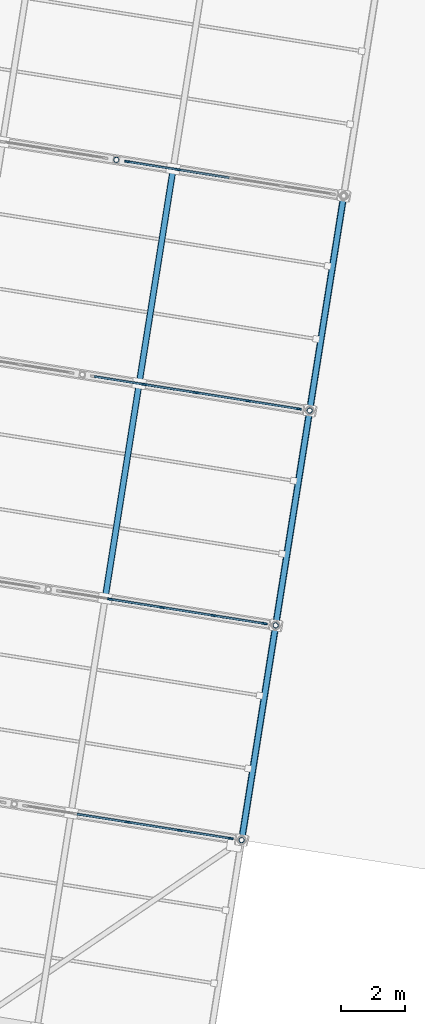
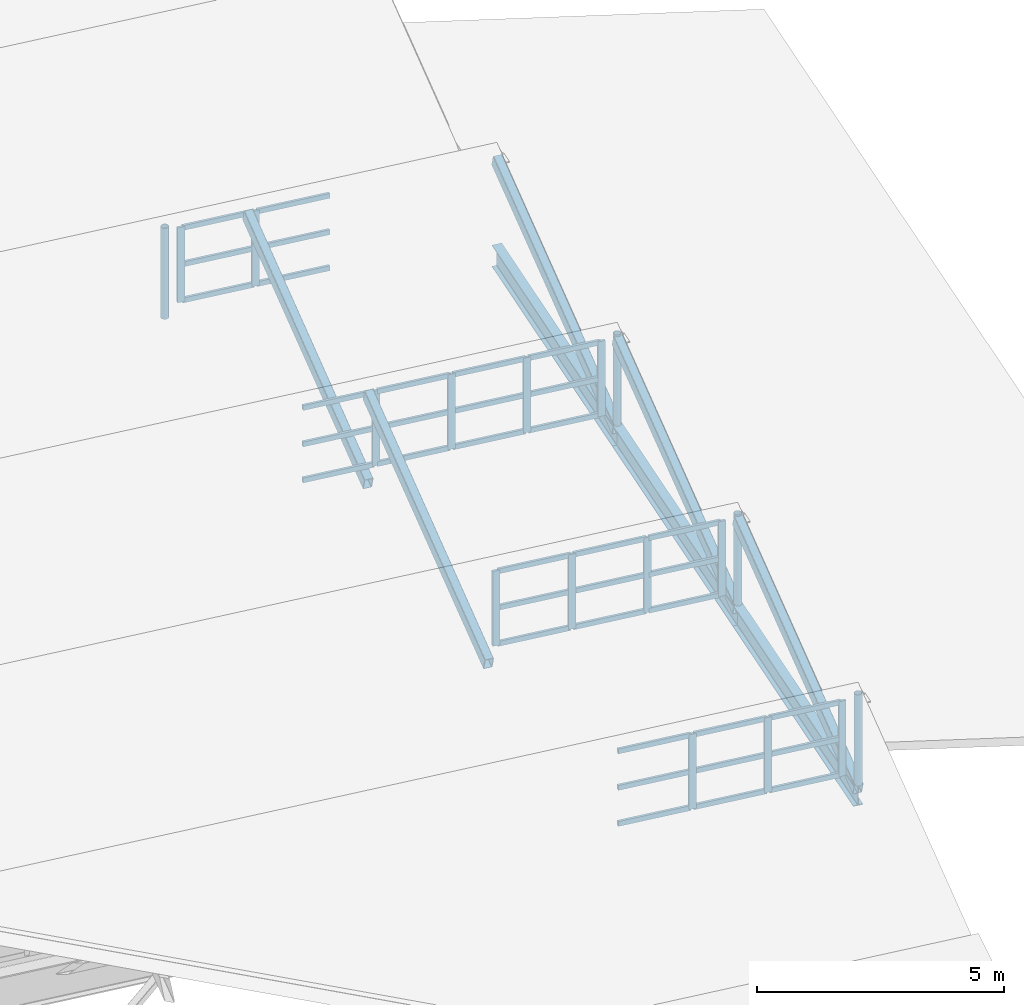
# One storey, part 50 of 65: 58 members, 3 beams, 4 elements without a shape of their own.
"""IFC4 building model written with IfcOpenShell, lengths in metres."""

import ifcopenshell
import ifcopenshell.guid

model = None  # the IFC model being written
_history = None  # IfcOwnerHistory: only IFC2X3 demands one
_inside = {}  # id of a spatial element -> (the spatial element, [elements in it])
_under = {}  # id of a project, library or spatial element -> (it, [spatial elements below it])
_declared = {}  # id of a project -> (the project, [libraries it declares])
_typed = {}  # id of a type object -> (the type object, [elements of that type])
_made_of = {}  # id of a material, layer set ... -> (it, [elements and type objects made of it])


def new_model(schema):
    """Start an empty IFC model of exactly this schema.

    Asked for "IFC4X3", IfcOpenShell would pick the latest addendum, in which some entities
    have other attributes; the version numbers below select the first issue.
    IFC2X3 requires an IfcOwnerHistory on every rooted entity: one is made here for all.
    """
    global model, _history
    if schema == "IFC4X3":
        model = ifcopenshell.file(schema_version=(4, 3, 0, 0))
    else:
        model = ifcopenshell.file(schema=schema)
    _inside.clear()
    _under.clear()
    _declared.clear()
    _typed.clear()
    _made_of.clear()
    _history = None
    if model.schema == "IFC2X3":
        org = make("IfcOrganization", Name="unknown")
        user = make(
            "IfcPersonAndOrganization",
            ThePerson=make("IfcPerson", FamilyName="unknown"),
            TheOrganization=org,
        )
        app = make(
            "IfcApplication",
            ApplicationDeveloper=org,
            Version="unknown",
            ApplicationFullName="unknown",
            ApplicationIdentifier="unknown",
        )
        _history = make(
            "IfcOwnerHistory",
            OwningUser=user,
            OwningApplication=app,
            ChangeAction="ADDED",
            CreationDate=0,
        )
    return model


def make(cls, **values):
    """One entity of the class cls with the attributes given. An attribute that is None is left unset."""
    return model.create_entity(
        cls, **{name: value for name, value in values.items() if value is not None}
    )


def rooted(cls, **values):
    """An entity with a GlobalId (a new one), such as an element, a storey or a relation."""
    return make(cls, GlobalId=ifcopenshell.guid.new(), OwnerHistory=_history, **values)


def si_unit(unit_type, name, prefix=None):
    """IfcSIUnit, for example si_unit("LENGTHUNIT", "METRE", prefix="MILLI")."""
    return make("IfcSIUnit", UnitType=unit_type, Prefix=prefix, Name=name)


def assignment(units):
    """IfcUnitAssignment: the units of a project."""
    return None if units is None else make("IfcUnitAssignment", Units=units)


def point(xyz):
    """IfcCartesianPoint."""
    return None if xyz is None else make("IfcCartesianPoint", Coordinates=xyz)


def direction(xyz):
    """IfcDirection."""
    return None if xyz is None else make("IfcDirection", DirectionRatios=xyz)


def frame(location, z_axis=None, x_axis=None):
    """IfcAxis2Placement3D, a coordinate frame: its origin and axes. An axis left out is left unset."""
    return make(
        "IfcAxis2Placement3D",
        Location=point(location),
        Axis=direction(z_axis),
        RefDirection=direction(x_axis),
    )


def frame_2d(location, x_axis=None):
    """IfcAxis2Placement2D, a coordinate frame in the plane: its origin and x axis."""
    return make(
        "IfcAxis2Placement2D", Location=point(location), RefDirection=direction(x_axis)
    )


def origin():
    """The frame at (0, 0, 0) with its axes left unset."""
    return frame((0.0, 0.0, 0.0))


def origin_2d():
    """The frame at (0, 0) in the plane with its x axis left unset."""
    return frame_2d((0.0, 0.0))


def place(relative_to, where):
    """IfcLocalPlacement: puts the frame where relative to a parent placement (None: the world)."""
    return make(
        "IfcLocalPlacement", PlacementRelTo=relative_to, RelativePlacement=where
    )


def context(
    kind, dimensions, precision=None, world=None, true_north=None, identifier=None
):
    """IfcGeometricRepresentationContext, for example the 3D "Model" context."""
    return make(
        "IfcGeometricRepresentationContext",
        ContextIdentifier=identifier,
        ContextType=kind,
        CoordinateSpaceDimension=dimensions,
        Precision=precision,
        WorldCoordinateSystem=world,
        TrueNorth=true_north,
    )


def subcontext(parent, identifier, kind, view, scale=None):
    """IfcGeometricRepresentationSubContext, for example "Body" below "Model"."""
    return make(
        "IfcGeometricRepresentationSubContext",
        ContextIdentifier=identifier,
        ContextType=kind,
        ParentContext=parent,
        TargetScale=scale,
        TargetView=view,
    )


def project(units=None, contexts=None):
    """IfcProject with its units and contexts."""
    return rooted(
        "IfcProject",
        Name="project",
        RepresentationContexts=contexts,
        UnitsInContext=assignment(units),
    )


def spatial(cls, under=None, at=None, **own):
    """A site, building, storey or space (cls), placed at a placement, below another one or the project."""
    s = rooted(cls, ObjectPlacement=at, **own)
    if under is not None:
        _under.setdefault(under.id(), (under, []))[1].append(s)
    return s


def profile(cls, at=None, kind="AREA", **sizes):
    """A parametric profile (cls). Its sizes go by their IFC names, for example OverallWidth=200.0."""
    return make(cls, ProfileType=kind, Position=at, **sizes)


def rectangle(**sizes):
    """IfcRectangleProfileDef."""
    return profile("IfcRectangleProfileDef", **sizes)


def hollow_rectangle(**sizes):
    """IfcRectangleHollowProfileDef."""
    return profile("IfcRectangleHollowProfileDef", **sizes)


def hollow_circle(**sizes):
    """IfcCircleHollowProfileDef."""
    return profile("IfcCircleHollowProfileDef", **sizes)


def i_section(**sizes):
    """IfcIShapeProfileDef."""
    return profile("IfcIShapeProfileDef", **sizes)


def extrude(swept, where, along, depth):
    """IfcExtrudedAreaSolid: the profile swept, set in the frame where, extruded along a direction by depth."""
    return make(
        "IfcExtrudedAreaSolid",
        SweptArea=swept,
        Position=where,
        ExtrudedDirection=direction(along),
        Depth=depth,
    )


def shape(context_of_items, identifier, shape_type, items):
    """IfcShapeRepresentation: the items that make up one representation, for example the "Body"."""
    return make(
        "IfcShapeRepresentation",
        ContextOfItems=context_of_items,
        RepresentationIdentifier=identifier,
        RepresentationType=shape_type,
        Items=items,
    )


def material(Name=None, Category=None):
    """IfcMaterial."""
    return make("IfcMaterial", Name=Name, Category=Category)


def material_profile(
    of_material, cross_section, Name=None, Category=None, Priority=None
):
    """IfcMaterialProfile: a cross section and its material."""
    return make(
        "IfcMaterialProfile",
        Name=Name,
        Material=of_material,
        Profile=cross_section,
        Priority=Priority,
        Category=Category,
    )


def profile_set(profiles, Name=None, composite=None):
    """IfcMaterialProfileSet."""
    return make(
        "IfcMaterialProfileSet",
        Name=Name,
        MaterialProfiles=profiles,
        CompositeProfile=composite,
    )


def made_of(thing, what):
    """Note that an element or type object is made of a material, layer set ...; save() writes the relation."""
    if what is not None:
        _made_of.setdefault(what.id(), (what, []))[1].append(thing)
    return thing


def type_object(cls, material=None, **own):
    """A type object (cls), such as IfcWallType, which elements share."""
    return made_of(rooted(cls, **own), material)


def element(
    cls,
    number,
    at=None,
    inside=None,
    cuts=None,
    type_object=None,
    material=None,
    context=None,
    identifier="Body",
    shape_type=None,
    held_by="IfcProductDefinitionShape",
    body=None,
    shapes=None,
    **own,
):
    """One element of the class cls, such as IfcWall. Its Tag is "e" and its number.

    at: its placement. inside: the storey or other place that contains it. cuts: it is an
    opening in that element (IfcRelVoidsElement). A single representation is given by context,
    identifier, shape_type and body (its items); several are given by shapes. held_by: the class
    of the entity that holds the representations. save() writes the other relations.
    """
    e = rooted(cls, Tag="e%d" % number, ObjectPlacement=at, **own)
    if body is not None:
        shapes = [shape(context, identifier, shape_type, body)]
    if shapes is not None:
        e.Representation = make(held_by, Representations=shapes)
    if inside is not None:
        _inside.setdefault(inside.id(), (inside, []))[1].append(e)
    if cuts is not None:
        rooted(
            "IfcRelVoidsElement", RelatingBuildingElement=cuts, RelatedOpeningElement=e
        )
    if type_object is not None:
        _typed.setdefault(type_object.id(), (type_object, []))[1].append(e)
    return made_of(e, material)


def aggregate(whole, parts):
    """IfcRelAggregates: a whole, such as a stair, and the parts it consists of."""
    return rooted("IfcRelAggregates", RelatingObject=whole, RelatedObjects=parts)


def save(model, path):
    """Write the relations noted so far, then the file.

    IfcRelAggregates (storeys below a building ...), IfcRelContainedInSpatialStructure (elements
    in a storey), IfcRelDefinesByType, IfcRelAssociatesMaterial and IfcRelDeclares: one each for
    every whole, place, type object, material and project.
    """
    for whole, parts in _under.values():
        aggregate(whole, parts)
    for where, things in _inside.values():
        rooted(
            "IfcRelContainedInSpatialStructure",
            RelatedElements=things,
            RelatingStructure=where,
        )
    for kind, things in _typed.values():
        rooted("IfcRelDefinesByType", RelatedObjects=things, RelatingType=kind)
    for what, things in _made_of.values():
        rooted("IfcRelAssociatesMaterial", RelatedObjects=things, RelatingMaterial=what)
    for by, libraries in _declared.values():
        rooted("IfcRelDeclares", RelatingContext=by, RelatedDefinitions=libraries)
    model.write(path)


model = new_model("IFC4")

# Units and contexts
model_context = context("Model", 3, precision=1e-05, world=origin(), true_north=direction((0.0, 1.0)))
body_context = subcontext(model_context, "Body", "Model", "MODEL_VIEW")
ifc_project = project(units=[si_unit("LENGTHUNIT", "METRE"), si_unit("AREAUNIT", "SQUARE_METRE"), si_unit("VOLUMEUNIT", "CUBIC_METRE"), si_unit("PLANEANGLEUNIT", "RADIAN"), si_unit("MASSUNIT", "GRAM", prefix="KILO")], contexts=[model_context])

# Site, building, storey
site_placement = place(None, origin())
site = spatial("IfcSite", under=ifc_project, at=site_placement, CompositionType="ELEMENT")
building_placement = place(site_placement, origin())
building = spatial("IfcBuilding", under=site, at=building_placement, Name="Cinderway Yard Community Centre", CompositionType="ELEMENT")
storey_placement = place(building_placement, frame((0.0, 0.0, 24.300048828125)))
storey = spatial("IfcBuildingStorey", under=building, at=storey_placement, Name="RF", CompositionType="ELEMENT", Elevation=24.300048828125)

# Curtain wall, members
ifc_material_1 = material(Name="Aluminium 6063-T6", Category="aluminium")
curtain_wall_type = type_object("IfcCurtainWallType", Name="ENV-CW-TYPE-23", PredefinedType="USERDEFINED", material=ifc_material_1)
curtain_wall_1_placement = place(storey_placement, origin())
curtain_wall_1 = element("IfcCurtainWall", 1, at=curtain_wall_1_placement, inside=storey, type_object=curtain_wall_type, Name="Sawtooth North-Light Clerestory ENV-CW-RF-ST-0074", ObjectType="GLAZED CURTAIN WALL", PredefinedType="USERDEFINED")
ifc_material_profile_1 = material_profile(ifc_material_1, rectangle(XDim=0.06005859375, YDim=0.159912109375, at=origin_2d()), Name="Aluminium 6063-T6")
ifc_profile_set_1 = profile_set([ifc_material_profile_1], Name="Aluminium 6063-T6")
member_type_1 = type_object("IfcMemberType", Name="ENV-CW-MULL-150", PredefinedType="MULLION", material=ifc_profile_set_1)
member_1_placement = place(storey_placement, frame((136.842041015625, 41.900390625, -10.199951171875), z_axis=(0.0, 0.0, 1.0), x_axis=(0.156533911189, 0.98767258474, 0.0)))
member_1 = element("IfcMember", 2, at=member_1_placement, type_object=member_type_1, Name="CW-23 mullion 3", PredefinedType="MULLION", context=body_context, shape_type="SweptSolid", body=[
    extrude(rectangle(XDim=0.06005859375, YDim=0.159912109375, at=origin_2d()), origin(), (0.0, 0.0, 1.0), 1.849853515625),
])
member_2_placement = place(storey_placement, frame((138.4619140625, 41.643798828125, -10.199951171875), z_axis=(0.0, 0.0, 1.0), x_axis=(0.156533911189, 0.98767258474, 0.0)))
member_2 = element("IfcMember", 3, at=member_2_placement, type_object=member_type_1, Name="CW-23 mullion 4", PredefinedType="MULLION", context=body_context, shape_type="SweptSolid", body=[
    extrude(rectangle(XDim=0.06005859375, YDim=0.159912109375, at=origin_2d()), origin(), (0.0, 0.0, 1.0), 1.849853515625),
])
member_3_placement = place(storey_placement, frame((140.052490234375, 41.3916015625, -10.199951171875), z_axis=(0.0, 0.0, 1.0), x_axis=(0.156533911189, 0.98767258474, 0.0)))
member_3 = element("IfcMember", 4, at=member_3_placement, type_object=member_type_1, Name="CW-23 mullion 5", PredefinedType="MULLION", context=body_context, shape_type="SweptSolid", body=[
    extrude(rectangle(XDim=0.06005859375, YDim=0.159912109375, at=origin_2d()), origin(), (0.0, 0.0, 1.0), 1.849853515625),
])

curtain_wall_2_placement = place(storey_placement, origin())
curtain_wall_2 = element("IfcCurtainWall", 5, at=curtain_wall_2_placement, inside=storey, type_object=curtain_wall_type, Name="Sawtooth North-Light Clerestory ENV-CW-RF-ST-0077", ObjectType="GLAZED CURTAIN WALL", PredefinedType="USERDEFINED")
member_4_placement = place(storey_placement, frame((136.285888671875, 48.87353515625, -10.199951171875), z_axis=(0.0, 0.0, 1.0), x_axis=(0.156385221956, 0.987696138675, 0.0)))
member_4 = element("IfcMember", 6, at=member_4_placement, type_object=member_type_1, Name="CW-23 mullion 2", PredefinedType="MULLION", context=body_context, shape_type="SweptSolid", body=[
    extrude(rectangle(XDim=0.06005859375, YDim=0.159912109375, at=origin_2d()), origin(), (0.0, 0.0, 1.0), 1.849853515625),
])
member_5_placement = place(storey_placement, frame((137.906005859375, 48.616943359375, -10.199951171875), z_axis=(0.0, 0.0, 1.0), x_axis=(0.156385221956, 0.987696138675, 0.0)))
member_5 = element("IfcMember", 7, at=member_5_placement, type_object=member_type_1, Name="CW-23 mullion 3", PredefinedType="MULLION", context=body_context, shape_type="SweptSolid", body=[
    extrude(rectangle(XDim=0.06005859375, YDim=0.159912109375, at=origin_2d()), origin(), (0.0, 0.0, 1.0), 1.849853515625),
])
member_6_placement = place(storey_placement, frame((139.52587890625, 48.360595703125, -10.199951171875), z_axis=(0.0, 0.0, 1.0), x_axis=(0.156385221956, 0.987696138675, 0.0)))
member_6 = element("IfcMember", 8, at=member_6_placement, type_object=member_type_1, Name="CW-23 mullion 4", PredefinedType="MULLION", context=body_context, shape_type="SweptSolid", body=[
    extrude(rectangle(XDim=0.06005859375, YDim=0.159912109375, at=origin_2d()), origin(), (0.0, 0.0, 1.0), 1.849853515625),
])
member_7_placement = place(storey_placement, frame((141.116455078125, 48.108642578125, -10.199951171875), z_axis=(0.0, 0.0, 1.0), x_axis=(0.156385221956, 0.987696138675, 0.0)))
member_7 = element("IfcMember", 9, at=member_7_placement, type_object=member_type_1, Name="CW-23 mullion 5", PredefinedType="MULLION", context=body_context, shape_type="SweptSolid", body=[
    extrude(rectangle(XDim=0.06005859375, YDim=0.159912109375, at=origin_2d()), origin(), (0.0, 0.0, 1.0), 1.849853515625),
])

curtain_wall_3_placement = place(storey_placement, origin())
curtain_wall_3 = element("IfcCurtainWall", 10, at=curtain_wall_3_placement, inside=storey, type_object=curtain_wall_type, Name="Sawtooth North-Light Clerestory ENV-CW-RF-ST-0080", ObjectType="GLAZED CURTAIN WALL", PredefinedType="USERDEFINED")
member_8_placement = place(storey_placement, frame((137.349853515625, 55.589599609375, -10.199951171875), z_axis=(0.0, 0.0, 1.0), x_axis=(0.15640876877, 0.987692410142, 0.0)))
member_8 = element("IfcMember", 11, at=member_8_placement, type_object=member_type_1, Name="CW-23 mullion 2", PredefinedType="MULLION", context=body_context, shape_type="SweptSolid", body=[
    extrude(rectangle(XDim=0.06005859375, YDim=0.159912109375, at=origin_2d()), origin(), (0.0, 0.0, 1.0), 1.849853515625),
])
member_9_placement = place(storey_placement, frame((138.969482421875, 55.3330078125, -10.199951171875), z_axis=(0.0, 0.0, 1.0), x_axis=(0.15640876877, 0.987692410142, 0.0)))
member_9 = element("IfcMember", 12, at=member_9_placement, type_object=member_type_1, Name="CW-23 mullion 3", PredefinedType="MULLION", context=body_context, shape_type="SweptSolid", body=[
    extrude(rectangle(XDim=0.06005859375, YDim=0.159912109375, at=origin_2d()), origin(), (0.0, 0.0, 1.0), 1.849853515625),
])
member_10_placement = place(storey_placement, frame((140.58935546875, 55.076416015625, -10.199951171875), z_axis=(0.0, 0.0, 1.0), x_axis=(0.15640876877, 0.987692410142, 0.0)))
member_10 = element("IfcMember", 13, at=member_10_placement, type_object=member_type_1, Name="CW-23 mullion 4", PredefinedType="MULLION", context=body_context, shape_type="SweptSolid", body=[
    extrude(rectangle(XDim=0.06005859375, YDim=0.159912109375, at=origin_2d()), origin(), (0.0, 0.0, 1.0), 1.849853515625),
])
member_11_placement = place(storey_placement, frame((142.179443359375, 54.82470703125, -10.199951171875), z_axis=(0.0, 0.0, 1.0), x_axis=(0.15640876877, 0.987692410142, 0.0)))
member_11 = element("IfcMember", 14, at=member_11_placement, type_object=member_type_1, Name="CW-23 mullion 5", PredefinedType="MULLION", context=body_context, shape_type="SweptSolid", body=[
    extrude(rectangle(XDim=0.06005859375, YDim=0.159912109375, at=origin_2d()), origin(), (0.0, 0.0, 1.0), 1.849853515625),
])

curtain_wall_4_placement = place(storey_placement, origin())
curtain_wall_4 = element("IfcCurtainWall", 15, at=curtain_wall_4_placement, inside=storey, type_object=curtain_wall_type, Name="Sawtooth North-Light Clerestory ENV-CW-RF-ST-0083", ObjectType="GLAZED CURTAIN WALL", PredefinedType="USERDEFINED")
member_12_placement = place(storey_placement, frame((136.82373046875, 62.557373046875, -10.199951171875), z_axis=(0.0, 0.0, 1.0), x_axis=(0.15640876877, 0.987692410142, 0.0)))
member_12 = element("IfcMember", 16, at=member_12_placement, type_object=member_type_1, Name="CW-23 mullion 1", PredefinedType="MULLION", context=body_context, shape_type="SweptSolid", body=[
    extrude(rectangle(XDim=0.06005859375, YDim=0.159912109375, at=origin_2d()), origin(), (0.0, 0.0, 1.0), 1.849853515625),
])
member_13_placement = place(storey_placement, frame((138.413818359375, 62.305419921875, -10.199951171875), z_axis=(0.0, 0.0, 1.0), x_axis=(0.15640876877, 0.987692410142, 0.0)))
member_13 = element("IfcMember", 17, at=member_13_placement, type_object=member_type_1, Name="CW-23 mullion 2", PredefinedType="MULLION", context=body_context, shape_type="SweptSolid", body=[
    extrude(rectangle(XDim=0.06005859375, YDim=0.159912109375, at=origin_2d()), origin(), (0.0, 0.0, 1.0), 1.849853515625),
])

# Member
ifc_material_profile_2 = material_profile(ifc_material_1, rectangle(XDim=0.06005859375, YDim=0.1201171875, at=origin_2d()), Name="Aluminium 6063-T6")
ifc_profile_set_2 = profile_set([ifc_material_profile_2], Name="Aluminium 6063-T6")
member_type_2 = type_object("IfcMemberType", Name="ENV-CW-TRAN-110", PredefinedType="USERDEFINED", material=ifc_profile_set_2)
member_14_placement = place(storey_placement, frame((135.251708984375, 42.152587890625, -10.170166015625), z_axis=(0.98767385289, -0.156525909414, 0.0), x_axis=(0.156525909414, 0.98767385289, 0.0)))
member_14 = element("IfcMember", 18, at=member_14_placement, type_object=member_type_2, Name="CW-23 transom 2.1", ObjectType="TRANSOM", PredefinedType="USERDEFINED", context=body_context, shape_type="SweptSolid", body=[
    extrude(rectangle(XDim=0.06005859375, YDim=0.1201171875, at=origin_2d()), origin(), (0.0, 0.0, 1.0), 1.580078125),
])

member_15_placement = place(storey_placement, frame((135.251708984375, 42.152587890625, -9.280029296875), z_axis=(0.98767385289, -0.156525909414, 0.0), x_axis=(0.156525909414, 0.98767385289, 0.0)))
member_15 = element("IfcMember", 19, at=member_15_placement, type_object=member_type_2, Name="CW-23 transom 2.2", ObjectType="TRANSOM", PredefinedType="USERDEFINED", context=body_context, shape_type="SweptSolid", body=[
    extrude(rectangle(XDim=0.06005859375, YDim=0.1201171875, at=origin_2d()), origin(), (0.0, 0.0, 1.0), 1.580078125),
])

member_16_placement = place(storey_placement, frame((135.251708984375, 42.152587890625, -8.380126953125), z_axis=(0.98767385289, -0.156525909414, 0.0), x_axis=(0.156525909414, 0.98767385289, 0.0)))
member_16 = element("IfcMember", 20, at=member_16_placement, type_object=member_type_2, Name="CW-23 transom 2.3", ObjectType="TRANSOM", PredefinedType="USERDEFINED", context=body_context, shape_type="SweptSolid", body=[
    extrude(rectangle(XDim=0.06005859375, YDim=0.1201171875, at=origin_2d()), origin(), (0.0, 0.0, 1.0), 1.580078125),
])

member_17_placement = place(storey_placement, frame((136.87158203125, 41.895751953125, -10.170166015625), z_axis=(0.98767763775, -0.15650202519, 0.0), x_axis=(0.15650202519, 0.98767763775, 0.0)))
member_17 = element("IfcMember", 21, at=member_17_placement, type_object=member_type_2, Name="CW-23 transom 3.1", ObjectType="TRANSOM", PredefinedType="USERDEFINED", context=body_context, shape_type="SweptSolid", body=[
    extrude(rectangle(XDim=0.06005859375, YDim=0.1201171875, at=origin_2d()), origin(), (0.0, 0.0, 1.0), 1.580322265625),
])

member_18_placement = place(storey_placement, frame((136.87158203125, 41.895751953125, -9.280029296875), z_axis=(0.98767763775, -0.15650202519, 0.0), x_axis=(0.15650202519, 0.98767763775, 0.0)))
member_18 = element("IfcMember", 22, at=member_18_placement, type_object=member_type_2, Name="CW-23 transom 3.2", ObjectType="TRANSOM", PredefinedType="USERDEFINED", context=body_context, shape_type="SweptSolid", body=[
    extrude(rectangle(XDim=0.06005859375, YDim=0.1201171875, at=origin_2d()), origin(), (0.0, 0.0, 1.0), 1.580322265625),
])

member_19_placement = place(storey_placement, frame((136.87158203125, 41.895751953125, -8.380126953125), z_axis=(0.98767763775, -0.15650202519, 0.0), x_axis=(0.15650202519, 0.98767763775, 0.0)))
member_19 = element("IfcMember", 23, at=member_19_placement, type_object=member_type_2, Name="CW-23 transom 3.3", ObjectType="TRANSOM", PredefinedType="USERDEFINED", context=body_context, shape_type="SweptSolid", body=[
    extrude(rectangle(XDim=0.06005859375, YDim=0.1201171875, at=origin_2d()), origin(), (0.0, 0.0, 1.0), 1.580322265625),
])

member_20_placement = place(storey_placement, frame((138.49169921875, 41.63916015625, -10.170166015625), z_axis=(0.987669567129, -0.156552950044, 0.0), x_axis=(0.156552950044, 0.987669567129, 0.0)))
member_20 = element("IfcMember", 24, at=member_20_placement, type_object=member_type_2, Name="CW-23 transom 4.1", ObjectType="TRANSOM", PredefinedType="USERDEFINED", context=body_context, shape_type="SweptSolid", body=[
    extrude(rectangle(XDim=0.06005859375, YDim=0.1201171875, at=origin_2d()), origin(), (0.0, 0.0, 1.0), 1.550048828125),
])

member_21_placement = place(storey_placement, frame((138.49169921875, 41.63916015625, -9.280029296875), z_axis=(0.987669567129, -0.156552950044, 0.0), x_axis=(0.156552950044, 0.987669567129, 0.0)))
member_21 = element("IfcMember", 25, at=member_21_placement, type_object=member_type_2, Name="CW-23 transom 4.2", ObjectType="TRANSOM", PredefinedType="USERDEFINED", context=body_context, shape_type="SweptSolid", body=[
    extrude(rectangle(XDim=0.06005859375, YDim=0.1201171875, at=origin_2d()), origin(), (0.0, 0.0, 1.0), 1.550048828125),
])

member_22_placement = place(storey_placement, frame((138.49169921875, 41.63916015625, -8.380126953125), z_axis=(0.987669567129, -0.156552950044, 0.0), x_axis=(0.156552950044, 0.987669567129, 0.0)))
member_22 = element("IfcMember", 26, at=member_22_placement, type_object=member_type_2, Name="CW-23 transom 4.3", ObjectType="TRANSOM", PredefinedType="USERDEFINED", context=body_context, shape_type="SweptSolid", body=[
    extrude(rectangle(XDim=0.06005859375, YDim=0.1201171875, at=origin_2d()), origin(), (0.0, 0.0, 1.0), 1.550048828125),
])

aggregate(curtain_wall_1, [member_1, member_2, member_3, member_14, member_15, member_16, member_17, member_18, member_19, member_20, member_21, member_22])

member_23_placement = place(storey_placement, frame((136.315673828125, 48.868896484375, -10.170166015625), z_axis=(0.98767763775, -0.15650202519, 0.0), x_axis=(0.15650202519, 0.98767763775, 0.0)))
member_23 = element("IfcMember", 27, at=member_23_placement, type_object=member_type_2, Name="CW-23 transom 2.1", ObjectType="TRANSOM", PredefinedType="USERDEFINED", context=body_context, shape_type="SweptSolid", body=[
    extrude(rectangle(XDim=0.06005859375, YDim=0.1201171875, at=origin_2d()), origin(), (0.0, 0.0, 1.0), 1.580322265625),
])

member_24_placement = place(storey_placement, frame((136.315673828125, 48.868896484375, -9.280029296875), z_axis=(0.98767763775, -0.15650202519, 0.0), x_axis=(0.15650202519, 0.98767763775, 0.0)))
member_24 = element("IfcMember", 28, at=member_24_placement, type_object=member_type_2, Name="CW-23 transom 2.2", ObjectType="TRANSOM", PredefinedType="USERDEFINED", context=body_context, shape_type="SweptSolid", body=[
    extrude(rectangle(XDim=0.06005859375, YDim=0.1201171875, at=origin_2d()), origin(), (0.0, 0.0, 1.0), 1.580322265625),
])

member_25_placement = place(storey_placement, frame((136.315673828125, 48.868896484375, -8.380126953125), z_axis=(0.98767763775, -0.15650202519, 0.0), x_axis=(0.15650202519, 0.98767763775, 0.0)))
member_25 = element("IfcMember", 29, at=member_25_placement, type_object=member_type_2, Name="CW-23 transom 2.3", ObjectType="TRANSOM", PredefinedType="USERDEFINED", context=body_context, shape_type="SweptSolid", body=[
    extrude(rectangle(XDim=0.06005859375, YDim=0.1201171875, at=origin_2d()), origin(), (0.0, 0.0, 1.0), 1.580322265625),
])

member_26_placement = place(storey_placement, frame((137.935546875, 48.6123046875, -10.170166015625), z_axis=(0.987701507454, -0.156351310112, 0.0), x_axis=(0.156351310112, 0.987701507454, 0.0)))
member_26 = element("IfcMember", 30, at=member_26_placement, type_object=member_type_2, Name="CW-23 transom 3.1", ObjectType="TRANSOM", PredefinedType="USERDEFINED", context=body_context, shape_type="SweptSolid", body=[
    extrude(rectangle(XDim=0.06005859375, YDim=0.1201171875, at=origin_2d()), origin(), (0.0, 0.0, 1.0), 1.580322265625),
])

member_27_placement = place(storey_placement, frame((137.935546875, 48.6123046875, -9.280029296875), z_axis=(0.987701507454, -0.156351310112, 0.0), x_axis=(0.156351310112, 0.987701507454, 0.0)))
member_27 = element("IfcMember", 31, at=member_27_placement, type_object=member_type_2, Name="CW-23 transom 3.2", ObjectType="TRANSOM", PredefinedType="USERDEFINED", context=body_context, shape_type="SweptSolid", body=[
    extrude(rectangle(XDim=0.06005859375, YDim=0.1201171875, at=origin_2d()), origin(), (0.0, 0.0, 1.0), 1.580322265625),
])

member_28_placement = place(storey_placement, frame((137.935546875, 48.6123046875, -8.380126953125), z_axis=(0.987701507454, -0.156351310112, 0.0), x_axis=(0.156351310112, 0.987701507454, 0.0)))
member_28 = element("IfcMember", 32, at=member_28_placement, type_object=member_type_2, Name="CW-23 transom 3.3", ObjectType="TRANSOM", PredefinedType="USERDEFINED", context=body_context, shape_type="SweptSolid", body=[
    extrude(rectangle(XDim=0.06005859375, YDim=0.1201171875, at=origin_2d()), origin(), (0.0, 0.0, 1.0), 1.580322265625),
])

member_29_placement = place(storey_placement, frame((139.5556640625, 48.355712890625, -10.170166015625), z_axis=(0.987693908517, -0.156399306515, 0.0), x_axis=(0.156399306515, 0.987693908517, 0.0)))
member_29 = element("IfcMember", 33, at=member_29_placement, type_object=member_type_2, Name="CW-23 transom 4.1", ObjectType="TRANSOM", PredefinedType="USERDEFINED", context=body_context, shape_type="SweptSolid", body=[
    extrude(rectangle(XDim=0.06005859375, YDim=0.1201171875, at=origin_2d()), origin(), (0.0, 0.0, 1.0), 1.550048828125),
])

member_30_placement = place(storey_placement, frame((139.5556640625, 48.355712890625, -9.280029296875), z_axis=(0.987693908517, -0.156399306515, 0.0), x_axis=(0.156399306515, 0.987693908517, 0.0)))
member_30 = element("IfcMember", 34, at=member_30_placement, type_object=member_type_2, Name="CW-23 transom 4.2", ObjectType="TRANSOM", PredefinedType="USERDEFINED", context=body_context, shape_type="SweptSolid", body=[
    extrude(rectangle(XDim=0.06005859375, YDim=0.1201171875, at=origin_2d()), origin(), (0.0, 0.0, 1.0), 1.550048828125),
])

member_31_placement = place(storey_placement, frame((139.5556640625, 48.355712890625, -8.380126953125), z_axis=(0.987693908517, -0.156399306515, 0.0), x_axis=(0.156399306515, 0.987693908517, 0.0)))
member_31 = element("IfcMember", 35, at=member_31_placement, type_object=member_type_2, Name="CW-23 transom 4.3", ObjectType="TRANSOM", PredefinedType="USERDEFINED", context=body_context, shape_type="SweptSolid", body=[
    extrude(rectangle(XDim=0.06005859375, YDim=0.1201171875, at=origin_2d()), origin(), (0.0, 0.0, 1.0), 1.550048828125),
])

aggregate(curtain_wall_2, [member_4, member_5, member_6, member_7, member_23, member_24, member_25, member_26, member_27, member_28, member_29, member_30, member_31])

member_32_placement = place(storey_placement, frame((135.789306640625, 55.836669921875, -10.170166015625), z_axis=(0.987690055006, -0.15642364029, 0.0), x_axis=(0.15642364029, 0.987690055006, 0.0)))
member_32 = element("IfcMember", 36, at=member_32_placement, type_object=member_type_2, Name="CW-23 transom 1.1", ObjectType="TRANSOM", PredefinedType="USERDEFINED", context=body_context, shape_type="SweptSolid", body=[
    extrude(rectangle(XDim=0.06005859375, YDim=0.1201171875, at=origin_2d()), origin(), (0.0, 0.0, 1.0), 1.5498046875),
])

member_33_placement = place(storey_placement, frame((135.789306640625, 55.836669921875, -9.280029296875), z_axis=(0.987690055006, -0.15642364029, 0.0), x_axis=(0.15642364029, 0.987690055006, 0.0)))
member_33 = element("IfcMember", 37, at=member_33_placement, type_object=member_type_2, Name="CW-23 transom 1.2", ObjectType="TRANSOM", PredefinedType="USERDEFINED", context=body_context, shape_type="SweptSolid", body=[
    extrude(rectangle(XDim=0.06005859375, YDim=0.1201171875, at=origin_2d()), origin(), (0.0, 0.0, 1.0), 1.5498046875),
])

member_34_placement = place(storey_placement, frame((135.789306640625, 55.836669921875, -8.380126953125), z_axis=(0.987690055006, -0.15642364029, 0.0), x_axis=(0.15642364029, 0.987690055006, 0.0)))
member_34 = element("IfcMember", 38, at=member_34_placement, type_object=member_type_2, Name="CW-23 transom 1.3", ObjectType="TRANSOM", PredefinedType="USERDEFINED", context=body_context, shape_type="SweptSolid", body=[
    extrude(rectangle(XDim=0.06005859375, YDim=0.1201171875, at=origin_2d()), origin(), (0.0, 0.0, 1.0), 1.5498046875),
])

member_35_placement = place(storey_placement, frame((137.37939453125, 55.584716796875, -10.170166015625), z_axis=(0.987697729788, -0.156375172488, 0.0), x_axis=(0.156375172488, 0.987697729788, 0.0)))
member_35 = element("IfcMember", 39, at=member_35_placement, type_object=member_type_2, Name="CW-23 transom 2.1", ObjectType="TRANSOM", PredefinedType="USERDEFINED", context=body_context, shape_type="SweptSolid", body=[
    extrude(rectangle(XDim=0.06005859375, YDim=0.1201171875, at=origin_2d()), origin(), (0.0, 0.0, 1.0), 1.580078125),
])

member_36_placement = place(storey_placement, frame((137.37939453125, 55.584716796875, -9.280029296875), z_axis=(0.987697729788, -0.156375172488, 0.0), x_axis=(0.156375172488, 0.987697729788, 0.0)))
member_36 = element("IfcMember", 40, at=member_36_placement, type_object=member_type_2, Name="CW-23 transom 2.2", ObjectType="TRANSOM", PredefinedType="USERDEFINED", context=body_context, shape_type="SweptSolid", body=[
    extrude(rectangle(XDim=0.06005859375, YDim=0.1201171875, at=origin_2d()), origin(), (0.0, 0.0, 1.0), 1.580078125),
])

member_37_placement = place(storey_placement, frame((137.37939453125, 55.584716796875, -8.380126953125), z_axis=(0.987697729788, -0.156375172488, 0.0), x_axis=(0.156375172488, 0.987697729788, 0.0)))
member_37 = element("IfcMember", 41, at=member_37_placement, type_object=member_type_2, Name="CW-23 transom 2.3", ObjectType="TRANSOM", PredefinedType="USERDEFINED", context=body_context, shape_type="SweptSolid", body=[
    extrude(rectangle(XDim=0.06005859375, YDim=0.1201171875, at=origin_2d()), origin(), (0.0, 0.0, 1.0), 1.580078125),
])

member_38_placement = place(storey_placement, frame((138.9990234375, 55.328369140625, -10.170166015625), z_axis=(0.987697729788, -0.156375172488, 0.0), x_axis=(0.156375172488, 0.987697729788, 0.0)))
member_38 = element("IfcMember", 42, at=member_38_placement, type_object=member_type_2, Name="CW-23 transom 3.1", ObjectType="TRANSOM", PredefinedType="USERDEFINED", context=body_context, shape_type="SweptSolid", body=[
    extrude(rectangle(XDim=0.06005859375, YDim=0.1201171875, at=origin_2d()), origin(), (0.0, 0.0, 1.0), 1.580078125),
])

member_39_placement = place(storey_placement, frame((138.9990234375, 55.328369140625, -9.280029296875), z_axis=(0.987697729788, -0.156375172488, 0.0), x_axis=(0.156375172488, 0.987697729788, 0.0)))
member_39 = element("IfcMember", 43, at=member_39_placement, type_object=member_type_2, Name="CW-23 transom 3.2", ObjectType="TRANSOM", PredefinedType="USERDEFINED", context=body_context, shape_type="SweptSolid", body=[
    extrude(rectangle(XDim=0.06005859375, YDim=0.1201171875, at=origin_2d()), origin(), (0.0, 0.0, 1.0), 1.580078125),
])

member_40_placement = place(storey_placement, frame((138.9990234375, 55.328369140625, -8.380126953125), z_axis=(0.987697729788, -0.156375172488, 0.0), x_axis=(0.156375172488, 0.987697729788, 0.0)))
member_40 = element("IfcMember", 44, at=member_40_placement, type_object=member_type_2, Name="CW-23 transom 3.3", ObjectType="TRANSOM", PredefinedType="USERDEFINED", context=body_context, shape_type="SweptSolid", body=[
    extrude(rectangle(XDim=0.06005859375, YDim=0.1201171875, at=origin_2d()), origin(), (0.0, 0.0, 1.0), 1.580078125),
])

member_41_placement = place(storey_placement, frame((140.618896484375, 55.07177734375, -10.170166015625), z_axis=(0.987690055006, -0.15642364029, 0.0), x_axis=(0.15642364029, 0.987690055006, 0.0)))
member_41 = element("IfcMember", 45, at=member_41_placement, type_object=member_type_2, Name="CW-23 transom 4.1", ObjectType="TRANSOM", PredefinedType="USERDEFINED", context=body_context, shape_type="SweptSolid", body=[
    extrude(rectangle(XDim=0.06005859375, YDim=0.1201171875, at=origin_2d()), origin(), (0.0, 0.0, 1.0), 1.5498046875),
])

member_42_placement = place(storey_placement, frame((140.618896484375, 55.07177734375, -9.280029296875), z_axis=(0.987690055006, -0.15642364029, 0.0), x_axis=(0.15642364029, 0.987690055006, 0.0)))
member_42 = element("IfcMember", 46, at=member_42_placement, type_object=member_type_2, Name="CW-23 transom 4.2", ObjectType="TRANSOM", PredefinedType="USERDEFINED", context=body_context, shape_type="SweptSolid", body=[
    extrude(rectangle(XDim=0.06005859375, YDim=0.1201171875, at=origin_2d()), origin(), (0.0, 0.0, 1.0), 1.5498046875),
])

member_43_placement = place(storey_placement, frame((140.618896484375, 55.07177734375, -8.380126953125), z_axis=(0.987690055006, -0.15642364029, 0.0), x_axis=(0.15642364029, 0.987690055006, 0.0)))
member_43 = element("IfcMember", 47, at=member_43_placement, type_object=member_type_2, Name="CW-23 transom 4.3", ObjectType="TRANSOM", PredefinedType="USERDEFINED", context=body_context, shape_type="SweptSolid", body=[
    extrude(rectangle(XDim=0.06005859375, YDim=0.1201171875, at=origin_2d()), origin(), (0.0, 0.0, 1.0), 1.5498046875),
])

aggregate(curtain_wall_3, [member_8, member_9, member_10, member_11, member_32, member_33, member_34, member_35, member_36, member_37, member_38, member_39, member_40, member_41, member_42, member_43])

member_44_placement = place(storey_placement, frame((136.853271484375, 62.552734375, -10.170166015625), z_axis=(0.987690055006, -0.15642364029, 0.0), x_axis=(0.15642364029, 0.987690055006, 0.0)))
member_44 = element("IfcMember", 48, at=member_44_placement, type_object=member_type_2, Name="CW-23 transom 1.1", ObjectType="TRANSOM", PredefinedType="USERDEFINED", context=body_context, shape_type="SweptSolid", body=[
    extrude(rectangle(XDim=0.06005859375, YDim=0.1201171875, at=origin_2d()), origin(), (0.0, 0.0, 1.0), 1.5498046875),
])

member_45_placement = place(storey_placement, frame((136.853271484375, 62.552734375, -9.280029296875), z_axis=(0.987690055006, -0.15642364029, 0.0), x_axis=(0.15642364029, 0.987690055006, 0.0)))
member_45 = element("IfcMember", 49, at=member_45_placement, type_object=member_type_2, Name="CW-23 transom 1.2", ObjectType="TRANSOM", PredefinedType="USERDEFINED", context=body_context, shape_type="SweptSolid", body=[
    extrude(rectangle(XDim=0.06005859375, YDim=0.1201171875, at=origin_2d()), origin(), (0.0, 0.0, 1.0), 1.5498046875),
])

member_46_placement = place(storey_placement, frame((136.853271484375, 62.552734375, -8.380126953125), z_axis=(0.987690055006, -0.15642364029, 0.0), x_axis=(0.15642364029, 0.987690055006, 0.0)))
member_46 = element("IfcMember", 50, at=member_46_placement, type_object=member_type_2, Name="CW-23 transom 1.3", ObjectType="TRANSOM", PredefinedType="USERDEFINED", context=body_context, shape_type="SweptSolid", body=[
    extrude(rectangle(XDim=0.06005859375, YDim=0.1201171875, at=origin_2d()), origin(), (0.0, 0.0, 1.0), 1.5498046875),
])

member_47_placement = place(storey_placement, frame((138.443359375, 62.30078125, -10.170166015625), z_axis=(0.987697729788, -0.156375172488, 0.0), x_axis=(0.156375172488, 0.987697729788, 0.0)))
member_47 = element("IfcMember", 51, at=member_47_placement, type_object=member_type_2, Name="CW-23 transom 2.1", ObjectType="TRANSOM", PredefinedType="USERDEFINED", context=body_context, shape_type="SweptSolid", body=[
    extrude(rectangle(XDim=0.06005859375, YDim=0.1201171875, at=origin_2d()), origin(), (0.0, 0.0, 1.0), 1.580078125),
])

member_48_placement = place(storey_placement, frame((138.443359375, 62.30078125, -9.280029296875), z_axis=(0.987697729788, -0.156375172488, 0.0), x_axis=(0.156375172488, 0.987697729788, 0.0)))
member_48 = element("IfcMember", 52, at=member_48_placement, type_object=member_type_2, Name="CW-23 transom 2.2", ObjectType="TRANSOM", PredefinedType="USERDEFINED", context=body_context, shape_type="SweptSolid", body=[
    extrude(rectangle(XDim=0.06005859375, YDim=0.1201171875, at=origin_2d()), origin(), (0.0, 0.0, 1.0), 1.580078125),
])

member_49_placement = place(storey_placement, frame((138.443359375, 62.30078125, -8.380126953125), z_axis=(0.987697729788, -0.156375172488, 0.0), x_axis=(0.156375172488, 0.987697729788, 0.0)))
member_49 = element("IfcMember", 53, at=member_49_placement, type_object=member_type_2, Name="CW-23 transom 2.3", ObjectType="TRANSOM", PredefinedType="USERDEFINED", context=body_context, shape_type="SweptSolid", body=[
    extrude(rectangle(XDim=0.06005859375, YDim=0.1201171875, at=origin_2d()), origin(), (0.0, 0.0, 1.0), 1.580078125),
])

aggregate(curtain_wall_4, [member_12, member_13, member_44, member_45, member_46, member_47, member_48, member_49])

# Beams
ifc_material_2 = material(Name="Steel S355", Category="steel")
ifc_material_profile_3 = material_profile(ifc_material_2, i_section(OverallWidth=0.2109375, OverallDepth=0.5390625, WebThickness=0.010986328125, FlangeThickness=0.017333984375, FilletRadius=0.013916015625, at=origin_2d()), Name="Steel S355")
ifc_profile_set_3 = profile_set([ifc_material_profile_3], Name="Steel S355")
beam_type = type_object("IfcBeamType", Name="STR-BM-W530X109", PredefinedType="BEAM", material=ifc_profile_set_3)
beam_1_placement = place(storey_placement, frame((140.39794921875, 41.3369140625, -10.77001953125), z_axis=(0.156447383815, 0.987686294376, 0.0), x_axis=(-0.987686294376, 0.156447383815, 0.0)))
element("IfcBeam", 54, at=beam_1_placement, inside=storey, type_object=beam_type, Name="Sports eave beam E STR-BM-RF-SB06-1014", PredefinedType="BEAM", context=body_context, shape_type="SweptSolid", body=[
    extrude(i_section(OverallWidth=0.2109375, OverallDepth=0.5390625, WebThickness=0.010986328125, FlangeThickness=0.017333984375, FilletRadius=0.013916015625, at=origin_2d()), origin(), (0.0, 0.0, 1.0), 6.80078125),
])
beam_2_placement = place(storey_placement, frame((141.4619140625, 48.053955078125, -10.77001953125), z_axis=(0.156329470887, 0.987704964315, 0.0), x_axis=(-0.987704964315, 0.156329470887, 0.0)))
element("IfcBeam", 55, at=beam_2_placement, inside=storey, type_object=beam_type, Name="Sports eave beam E STR-BM-RF-SB06-1017", PredefinedType="BEAM", context=body_context, shape_type="SweptSolid", body=[
    extrude(i_section(OverallWidth=0.2109375, OverallDepth=0.5390625, WebThickness=0.010986328125, FlangeThickness=0.017333984375, FilletRadius=0.013916015625, at=origin_2d()), origin(), (0.0, 0.0, 1.0), 6.799560546875),
])
beam_3_placement = place(storey_placement, frame((142.52490234375, 54.77001953125, -10.77001953125), z_axis=(0.15650460011, 0.987677229739, 0.0), x_axis=(-0.987677229739, 0.15650460011, 0.0)))
element("IfcBeam", 56, at=beam_3_placement, inside=storey, type_object=beam_type, Name="Sports eave beam E STR-BM-RF-SB06-1020", PredefinedType="BEAM", context=body_context, shape_type="SweptSolid", body=[
    extrude(i_section(OverallWidth=0.2109375, OverallDepth=0.5390625, WebThickness=0.010986328125, FlangeThickness=0.017333984375, FilletRadius=0.013916015625, at=origin_2d()), origin(), (0.0, 0.0, 1.0), 6.7998046875),
])

# Members
ifc_material_profile_4 = material_profile(ifc_material_2, hollow_rectangle(XDim=0.199951171875, YDim=0.300048828125, WallThickness=0.012451171875, InnerFilletRadius=0.012451171875, OuterFilletRadius=0.02490234375, at=origin_2d()), Name="Steel S355")
ifc_profile_set_4 = profile_set([ifc_material_profile_4], Name="Steel S355")
member_type_3 = type_object("IfcMemberType", Name="STR-MEM-RAFTER-300", PredefinedType="RAFTER", material=ifc_profile_set_4)
for number, where, z_axis, x_axis, name in (
    (57, (140.39794921875, 41.3369140625, -10.6201171875), (0.148852944335, 0.939740949398, 0.307781982882), (-0.987686294376, 0.156447383815, 0.0), "Sawtooth raked rafter B2-216"),
    (58, (136.1279296875, 48.89794921875, -10.6201171875), (0.148852944335, 0.939740949398, 0.307781982882), (-0.987686294376, 0.156447383815, 0.0), "Sawtooth raked rafter B3-162"),
):
    element("IfcMember", number, at=place(storey_placement, frame(where, z_axis=z_axis, x_axis=x_axis)), inside=storey, type_object=member_type_3, Name=name, PredefinedType="RAFTER", context=body_context, shape_type="SweptSolid", body=[
        extrude(hollow_rectangle(XDim=0.199951171875, YDim=0.300048828125, WallThickness=0.012451171875, InnerFilletRadius=0.012451171875, OuterFilletRadius=0.02490234375, at=origin_2d()), origin(), (0.0, 0.0, 1.0), 7.147705078125),
    ])
member_50_placement = place(storey_placement, frame((141.4619140625, 48.053955078125, -10.6201171875), z_axis=(0.148738439938, 0.93974408458, 0.307827763501), x_axis=(-0.987704964315, 0.156329470887, 0.0)))
element("IfcMember", 59, at=member_50_placement, inside=storey, type_object=member_type_3, Name="Sawtooth raked rafter B3-216", PredefinedType="RAFTER", context=body_context, shape_type="SweptSolid", body=[
    extrude(hollow_rectangle(XDim=0.199951171875, YDim=0.300048828125, WallThickness=0.012451171875, InnerFilletRadius=0.012451171875, OuterFilletRadius=0.02490234375, at=origin_2d()), origin(), (0.0, 0.0, 1.0), 7.146728515625),
])
for number, where, z_axis, x_axis, name in (
    (60, (137.19189453125, 55.614990234375, -10.6201171875), (0.148905461455, 0.939720197099, 0.307819938786), (-0.987677229739, 0.15650460011, 0.0), "Sawtooth raked rafter B4-162"),
    (61, (142.52490234375, 54.77001953125, -10.6201171875), (0.148905461455, 0.939720197099, 0.307819938786), (-0.987677229739, 0.15650460011, 0.0), "Sawtooth raked rafter B4-216"),
):
    element("IfcMember", number, at=place(storey_placement, frame(where, z_axis=z_axis, x_axis=x_axis)), inside=storey, type_object=member_type_3, Name=name, PredefinedType="RAFTER", context=body_context, shape_type="SweptSolid", body=[
        extrude(hollow_rectangle(XDim=0.199951171875, YDim=0.300048828125, WallThickness=0.012451171875, InnerFilletRadius=0.012451171875, OuterFilletRadius=0.02490234375, at=origin_2d()), origin(), (0.0, 0.0, 1.0), 7.14697265625),
    ])
ifc_material_profile_5 = material_profile(ifc_material_2, hollow_circle(Radius=0.084228515625, WallThickness=0.008056640625, at=origin_2d()), Name="Steel S355")
ifc_profile_set_5 = profile_set([ifc_material_profile_5], Name="Steel S355")
member_type_4 = type_object("IfcMemberType", Name="STR-MEM-STRUT-CHS168", PredefinedType="STRUT", material=ifc_profile_set_5)
for number, where, z_axis, x_axis, name in (
    (62, (140.39794921875, 41.3369140625, -10.5), (0.0, 0.0, 1.0), (1.0, 0.0, 0.0), "Sawtooth kingpost B1-216"),
    (63, (141.4619140625, 48.053955078125, -10.5), (0.0, 0.0, 1.0), (1.0, 0.0, 0.0), "Sawtooth kingpost B2-216"),
    (64, (142.52490234375, 54.77001953125, -10.5), (0.0, 0.0, 1.0), (1.0, 0.0, 0.0), "Sawtooth kingpost B3-216"),
    (65, (136.47802734375, 62.612060546875, -10.5), (0.0, 0.0, 1.0), (1.0, 0.0, 0.0), "Sawtooth kingpost B4-144"),
):
    element("IfcMember", number, at=place(storey_placement, frame(where, z_axis=z_axis, x_axis=x_axis)), inside=storey, type_object=member_type_4, Name=name, PredefinedType="STRUT", context=body_context, shape_type="SweptSolid", body=[
        extrude(hollow_circle(Radius=0.084228515625, WallThickness=0.008056640625, at=origin_2d()), origin(), (0.0, 0.0, 1.0), 2.25),
    ])

save(model, "model.ifc")
